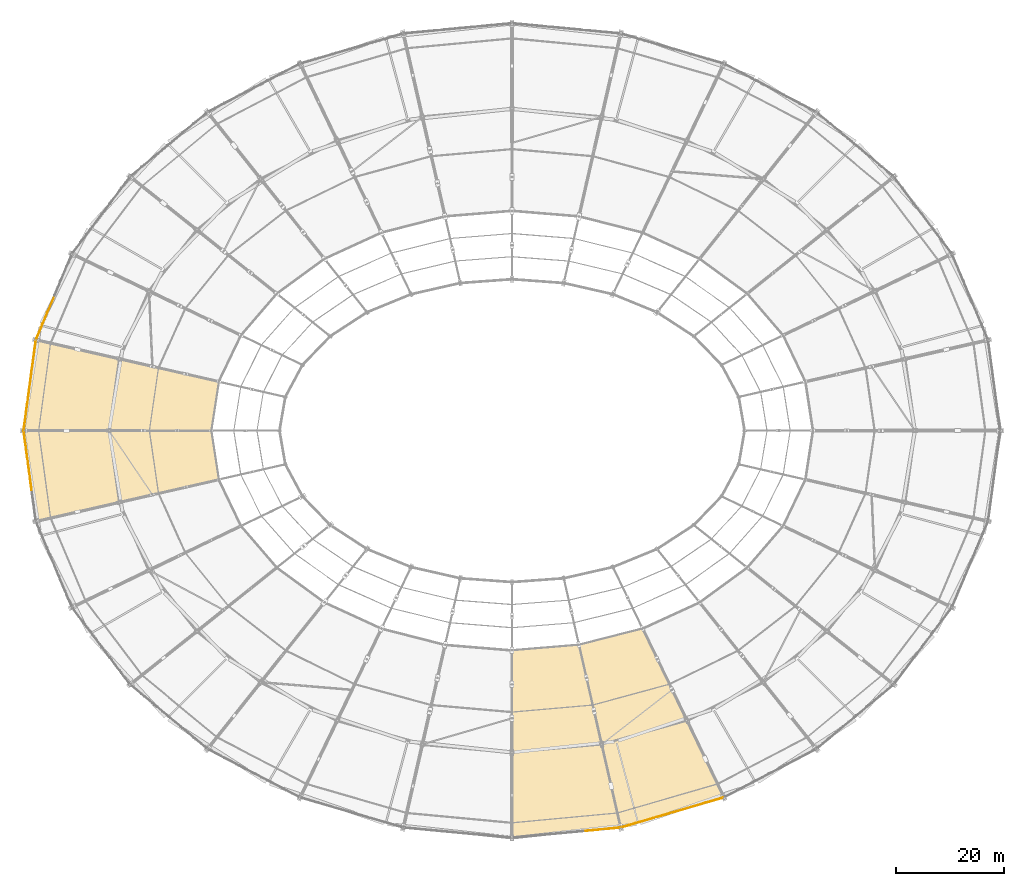
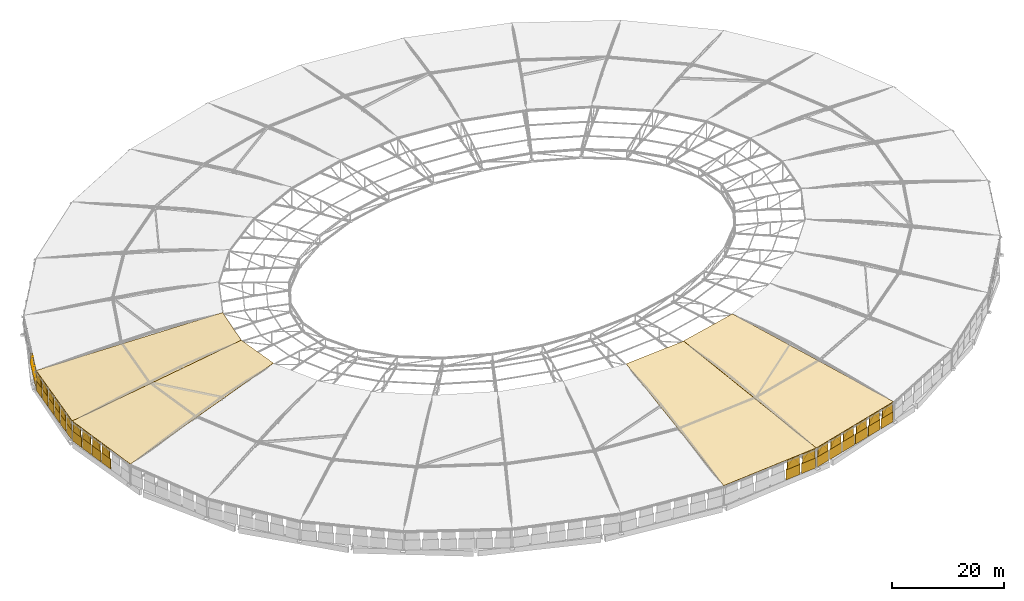
# One storey, part 102 of 108: 45 coverings, 20 shading devices.
"""IFC4 building model written with IfcOpenShell, lengths in metres."""

import ifcopenshell
import ifcopenshell.guid

model = None  # the IFC model being written
_history = None  # IfcOwnerHistory: only IFC2X3 demands one
_inside = {}  # id of a spatial element -> (the spatial element, [elements in it])
_under = {}  # id of a project, library or spatial element -> (it, [spatial elements below it])
_declared = {}  # id of a project -> (the project, [libraries it declares])
_typed = {}  # id of a type object -> (the type object, [elements of that type])
_made_of = {}  # id of a material, layer set ... -> (it, [elements and type objects made of it])


def new_model(schema):
    """Start an empty IFC model of exactly this schema.

    Asked for "IFC4X3", IfcOpenShell would pick the latest addendum, in which some entities
    have other attributes; the version numbers below select the first issue.
    IFC2X3 requires an IfcOwnerHistory on every rooted entity: one is made here for all.
    """
    global model, _history
    if schema == "IFC4X3":
        model = ifcopenshell.file(schema_version=(4, 3, 0, 0))
    else:
        model = ifcopenshell.file(schema=schema)
    _inside.clear()
    _under.clear()
    _declared.clear()
    _typed.clear()
    _made_of.clear()
    _history = None
    if model.schema == "IFC2X3":
        org = make("IfcOrganization", Name="unknown")
        user = make(
            "IfcPersonAndOrganization",
            ThePerson=make("IfcPerson", FamilyName="unknown"),
            TheOrganization=org,
        )
        app = make(
            "IfcApplication",
            ApplicationDeveloper=org,
            Version="unknown",
            ApplicationFullName="unknown",
            ApplicationIdentifier="unknown",
        )
        _history = make(
            "IfcOwnerHistory",
            OwningUser=user,
            OwningApplication=app,
            ChangeAction="ADDED",
            CreationDate=0,
        )
    return model


def make(cls, **values):
    """One entity of the class cls with the attributes given. An attribute that is None is left unset."""
    return model.create_entity(
        cls, **{name: value for name, value in values.items() if value is not None}
    )


def rooted(cls, **values):
    """An entity with a GlobalId (a new one), such as an element, a storey or a relation."""
    return make(cls, GlobalId=ifcopenshell.guid.new(), OwnerHistory=_history, **values)


def si_unit(unit_type, name, prefix=None):
    """IfcSIUnit, for example si_unit("LENGTHUNIT", "METRE", prefix="MILLI")."""
    return make("IfcSIUnit", UnitType=unit_type, Prefix=prefix, Name=name)


def assignment(units):
    """IfcUnitAssignment: the units of a project."""
    return None if units is None else make("IfcUnitAssignment", Units=units)


def point(xyz):
    """IfcCartesianPoint."""
    return None if xyz is None else make("IfcCartesianPoint", Coordinates=xyz)


def direction(xyz):
    """IfcDirection."""
    return None if xyz is None else make("IfcDirection", DirectionRatios=xyz)


def frame(location, z_axis=None, x_axis=None):
    """IfcAxis2Placement3D, a coordinate frame: its origin and axes. An axis left out is left unset."""
    return make(
        "IfcAxis2Placement3D",
        Location=point(location),
        Axis=direction(z_axis),
        RefDirection=direction(x_axis),
    )


def frame_2d(location, x_axis=None):
    """IfcAxis2Placement2D, a coordinate frame in the plane: its origin and x axis."""
    return make(
        "IfcAxis2Placement2D", Location=point(location), RefDirection=direction(x_axis)
    )


def origin():
    """The frame at (0, 0, 0) with its axes left unset."""
    return frame((0.0, 0.0, 0.0))


def origin_2d():
    """The frame at (0, 0) in the plane with its x axis left unset."""
    return frame_2d((0.0, 0.0))


def place(relative_to, where):
    """IfcLocalPlacement: puts the frame where relative to a parent placement (None: the world)."""
    return make(
        "IfcLocalPlacement", PlacementRelTo=relative_to, RelativePlacement=where
    )


def context(
    kind, dimensions, precision=None, world=None, true_north=None, identifier=None
):
    """IfcGeometricRepresentationContext, for example the 3D "Model" context."""
    return make(
        "IfcGeometricRepresentationContext",
        ContextIdentifier=identifier,
        ContextType=kind,
        CoordinateSpaceDimension=dimensions,
        Precision=precision,
        WorldCoordinateSystem=world,
        TrueNorth=true_north,
    )


def subcontext(parent, identifier, kind, view, scale=None):
    """IfcGeometricRepresentationSubContext, for example "Body" below "Model"."""
    return make(
        "IfcGeometricRepresentationSubContext",
        ContextIdentifier=identifier,
        ContextType=kind,
        ParentContext=parent,
        TargetScale=scale,
        TargetView=view,
    )


def project(units=None, contexts=None):
    """IfcProject with its units and contexts."""
    return rooted(
        "IfcProject",
        Name="project",
        RepresentationContexts=contexts,
        UnitsInContext=assignment(units),
    )


def spatial(cls, under=None, at=None, **own):
    """A site, building, storey or space (cls), placed at a placement, below another one or the project."""
    s = rooted(cls, ObjectPlacement=at, **own)
    if under is not None:
        _under.setdefault(under.id(), (under, []))[1].append(s)
    return s


def polyline(points):
    """IfcPolyline through the points."""
    return make("IfcPolyline", Points=[point(p) for p in points])


def profile(cls, at=None, kind="AREA", **sizes):
    """A parametric profile (cls). Its sizes go by their IFC names, for example OverallWidth=200.0."""
    return make(cls, ProfileType=kind, Position=at, **sizes)


def rectangle(**sizes):
    """IfcRectangleProfileDef."""
    return profile("IfcRectangleProfileDef", **sizes)


def outline(outer, holes=None, kind="AREA"):
    """IfcArbitraryClosedProfileDef: a profile drawn as a closed curve; with holes, ...WithVoids."""
    if holes is None:
        return make("IfcArbitraryClosedProfileDef", ProfileType=kind, OuterCurve=outer)
    return make(
        "IfcArbitraryProfileDefWithVoids",
        ProfileType=kind,
        OuterCurve=outer,
        InnerCurves=holes,
    )


def extrude(swept, where, along, depth):
    """IfcExtrudedAreaSolid: the profile swept, set in the frame where, extruded along a direction by depth."""
    return make(
        "IfcExtrudedAreaSolid",
        SweptArea=swept,
        Position=where,
        ExtrudedDirection=direction(along),
        Depth=depth,
    )


def shape(context_of_items, identifier, shape_type, items):
    """IfcShapeRepresentation: the items that make up one representation, for example the "Body"."""
    return make(
        "IfcShapeRepresentation",
        ContextOfItems=context_of_items,
        RepresentationIdentifier=identifier,
        RepresentationType=shape_type,
        Items=items,
    )


def material(Name=None, Category=None):
    """IfcMaterial."""
    return make("IfcMaterial", Name=Name, Category=Category)


def layer(
    of_material, thickness, ventilated=None, Name=None, Category=None, Priority=None
):
    """IfcMaterialLayer: one layer of a wall or slab, of a material (None: an air gap)."""
    return make(
        "IfcMaterialLayer",
        Material=of_material,
        LayerThickness=thickness,
        IsVentilated=ventilated,
        Name=Name,
        Category=Category,
        Priority=Priority,
    )


def layer_set(layers, Name=None):
    """IfcMaterialLayerSet."""
    return make("IfcMaterialLayerSet", MaterialLayers=layers, LayerSetName=Name)


def made_of(thing, what):
    """Note that an element or type object is made of a material, layer set ...; save() writes the relation."""
    if what is not None:
        _made_of.setdefault(what.id(), (what, []))[1].append(thing)
    return thing


def type_object(cls, material=None, **own):
    """A type object (cls), such as IfcWallType, which elements share."""
    return made_of(rooted(cls, **own), material)


def element(
    cls,
    number,
    at=None,
    inside=None,
    cuts=None,
    type_object=None,
    material=None,
    context=None,
    identifier="Body",
    shape_type=None,
    held_by="IfcProductDefinitionShape",
    body=None,
    shapes=None,
    **own,
):
    """One element of the class cls, such as IfcWall. Its Tag is "e" and its number.

    at: its placement. inside: the storey or other place that contains it. cuts: it is an
    opening in that element (IfcRelVoidsElement). A single representation is given by context,
    identifier, shape_type and body (its items); several are given by shapes. held_by: the class
    of the entity that holds the representations. save() writes the other relations.
    """
    e = rooted(cls, Tag="e%d" % number, ObjectPlacement=at, **own)
    if body is not None:
        shapes = [shape(context, identifier, shape_type, body)]
    if shapes is not None:
        e.Representation = make(held_by, Representations=shapes)
    if inside is not None:
        _inside.setdefault(inside.id(), (inside, []))[1].append(e)
    if cuts is not None:
        rooted(
            "IfcRelVoidsElement", RelatingBuildingElement=cuts, RelatedOpeningElement=e
        )
    if type_object is not None:
        _typed.setdefault(type_object.id(), (type_object, []))[1].append(e)
    return made_of(e, material)


def aggregate(whole, parts):
    """IfcRelAggregates: a whole, such as a stair, and the parts it consists of."""
    return rooted("IfcRelAggregates", RelatingObject=whole, RelatedObjects=parts)


def save(model, path):
    """Write the relations noted so far, then the file.

    IfcRelAggregates (storeys below a building ...), IfcRelContainedInSpatialStructure (elements
    in a storey), IfcRelDefinesByType, IfcRelAssociatesMaterial and IfcRelDeclares: one each for
    every whole, place, type object, material and project.
    """
    for whole, parts in _under.values():
        aggregate(whole, parts)
    for where, things in _inside.values():
        rooted(
            "IfcRelContainedInSpatialStructure",
            RelatedElements=things,
            RelatingStructure=where,
        )
    for kind, things in _typed.values():
        rooted("IfcRelDefinesByType", RelatedObjects=things, RelatingType=kind)
    for what, things in _made_of.values():
        rooted("IfcRelAssociatesMaterial", RelatedObjects=things, RelatingMaterial=what)
    for by, libraries in _declared.values():
        rooted("IfcRelDeclares", RelatingContext=by, RelatedDefinitions=libraries)
    model.write(path)


model = new_model("IFC4")

# Units and contexts
model_context = context("Model", 3, precision=1e-05, world=origin(), true_north=direction((0.0, 1.0)))
body_context = subcontext(model_context, "Body", "Model", "MODEL_VIEW")
ifc_project = project(units=[si_unit("LENGTHUNIT", "METRE"), si_unit("AREAUNIT", "SQUARE_METRE"), si_unit("VOLUMEUNIT", "CUBIC_METRE"), si_unit("PLANEANGLEUNIT", "RADIAN"), si_unit("MASSUNIT", "GRAM", prefix="KILO")], contexts=[model_context])

# Site, building, storey
site_placement = place(None, origin())
site = spatial("IfcSite", under=ifc_project, at=site_placement, CompositionType="ELEMENT")
building_placement = place(site_placement, origin())
building = spatial("IfcBuilding", under=site, at=building_placement, Name="Zevraka Park Crest Stadium", CompositionType="ELEMENT")
storey_placement = place(building_placement, frame((0.0, 0.0, 29.39990234375)))
storey = spatial("IfcBuildingStorey", under=building, at=storey_placement, Name="RF", CompositionType="ELEMENT", Elevation=29.39990234375)

# Coverings
ifc_material_1 = material(Name="Architectural golden-bronze perforated aluminium", Category="aluminium")
ifc_layer_1 = layer(ifc_material_1, 0.034912109375)
ifc_layer_set_1 = layer_set([ifc_layer_1], Name="Architectural golden-bronze perforated aluminium")
covering_type_1 = type_object("IfcCoveringType", Name="CLD01", PredefinedType="CLADDING", material=ifc_layer_set_1)
covering_1_placement = place(storey_placement, frame((27.259033203125, 116.60693359375, 0.0), z_axis=(-0.922096698468, 0.386959531056, 0.0), x_axis=(-0.386959531056, -0.922096698468, 0.0)))
element("IfcCovering", 1, at=covering_1_placement, inside=storey, type_object=covering_type_1, Name="Canopy Crown Perforated Bronze Fascia 13-4A", PredefinedType="CLADDING", context=body_context, shape_type="SweptSolid", body=[
    extrude(outline(polyline([(0.0, 0.0), (2.6460797553062623, 0.0), (2.6460797553062623, 2.2001953125), (0.0, 2.2001953125), (0.0, 0.0)])), origin(), (0.0, 0.0, -1.0), 0.044921875),
])
covering_2_placement = place(storey_placement, frame((26.14599609375, 113.955078125, 0.0), z_axis=(-0.922110512256, 0.386926612146, 0.0), x_axis=(-0.386926612146, -0.922110512256, 0.0)))
element("IfcCovering", 2, at=covering_2_placement, inside=storey, type_object=covering_type_1, Name="Canopy Crown Perforated Bronze Fascia 13-5A", PredefinedType="CLADDING", context=body_context, shape_type="SweptSolid", body=[
    extrude(outline(polyline([(0.0, 0.0), (2.6463048782568626, 0.0), (2.6463048782568626, 2.2001953125), (0.0, 2.2001953125), (0.0, 0.0)])), origin(), (0.0, 0.0, -1.0), 0.044921875),
])
covering_3_placement = place(storey_placement, frame((26.14599609375, 113.955078125, 2.2001953125), z_axis=(0.922110512009, -0.386926612043, 2.3155393e-05), x_axis=(-0.386926612146, -0.922110512256, 0.0)))
element("IfcCovering", 3, at=covering_3_placement, inside=storey, type_object=covering_type_1, Name="Canopy Crown Triangular Bronze Screen 13-5B", PredefinedType="CLADDING", context=body_context, shape_type="SweptSolid", body=[
    extrude(outline(polyline([(0.0, 0.0), (2.6463048782568626, 3.3881317890172014e-21), (1.3230398768100406, -2.039794922421841), (0.0, 0.0)])), origin(), (0.0, 0.0, -1.0), 0.044921875),
])
covering_4_placement = place(storey_placement, frame((25.032958984375, 111.302001953125, 0.0), z_axis=(-0.922096698468, 0.386959531056, 0.0), x_axis=(-0.386959531056, -0.922096698468, 0.0)))
element("IfcCovering", 4, at=covering_4_placement, inside=storey, type_object=covering_type_1, Name="Canopy Crown Perforated Bronze Fascia 13-6A", PredefinedType="CLADDING", context=body_context, shape_type="SweptSolid", body=[
    extrude(outline(polyline([(0.0, 0.0), (2.6460797553062623, 0.0), (2.6460797553062623, 2.2001953125), (0.0, 2.2001953125), (0.0, 0.0)])), origin(), (0.0, 0.0, -1.0), 0.044921875),
])
covering_5_placement = place(storey_placement, frame((25.032958984375, 111.302001953125, 2.2001953125), z_axis=(-0.922096698468, 0.386959531056, 0.0), x_axis=(-0.386959531056, -0.922096698468, 0.0)))
element("IfcCovering", 5, at=covering_5_placement, inside=storey, type_object=covering_type_1, Name="Canopy Crown Triangular Bronze Screen 13-6B", PredefinedType="CLADDING", context=body_context, shape_type="SweptSolid", body=[
    extrude(outline(polyline([(0.0, 0.0), (2.6460797553062623, 0.0), (1.3230398776531311, 2.0397949218750004), (0.0, 0.0)])), origin(), (0.0, 0.0, -1.0), 0.044921875),
])
covering_6_placement = place(storey_placement, frame((23.948974609375, 108.64404296875, 0.0), z_axis=(-0.991005261785, 0.133822909531, 0.0), x_axis=(-0.133822909531, -0.991005261785, 0.0)))
element("IfcCovering", 6, at=covering_6_placement, inside=storey, type_object=covering_type_1, Name="Canopy Crown Perforated Bronze Fascia 14-1A", PredefinedType="CLADDING", context=body_context, shape_type="SweptSolid", body=[
    extrude(outline(polyline([(0.0, 0.0), (2.5924098447759607, 0.0), (2.5924098447759607, 2.2001953124999996), (0.0, 2.2001953124999996), (0.0, 0.0)])), origin(), (0.0, 0.0, -1.0), 0.044921875),
])
covering_7_placement = place(storey_placement, frame((23.948974609375, 108.64404296875, 2.2001953125), z_axis=(-0.991005252365, 0.133822908259, 0.000137875596), x_axis=(-0.133822909531, -0.991005261785, 0.0)))
element("IfcCovering", 7, at=covering_7_placement, inside=storey, type_object=covering_type_1, Name="Canopy Crown Triangular Bronze Screen 14-1B", PredefinedType="CLADDING", context=body_context, shape_type="SweptSolid", body=[
    extrude(outline(polyline([(0.0, 0.0), (2.5924098447759607, 6.776263578034403e-21), (1.2955510533648462, 2.0397949412629246), (0.0, 0.0)])), origin(), (0.0, 0.0, -1.0), 0.044921875),
])
covering_8_placement = place(storey_placement, frame((23.572021484375, 105.85205078125, 0.0), z_axis=(-0.990962016896, 0.134142763758, 0.0), x_axis=(-0.134142763758, -0.990962016896, 0.0)))
element("IfcCovering", 8, at=covering_8_placement, inside=storey, type_object=covering_type_1, Name="Canopy Crown Perforated Bronze Fascia 14-2A", PredefinedType="CLADDING", context=body_context, shape_type="SweptSolid", body=[
    extrude(outline(polyline([(0.0, 0.0), (2.593508444878777, 0.0), (2.593508444878777, 2.2001953125), (0.0, 2.2001953125), (0.0, 0.0)])), origin(), (0.0, 0.0, -1.0), 0.044921875),
])
covering_9_placement = place(storey_placement, frame((23.572021484375, 105.85205078125, 2.2001953125), z_axis=(0.990962015594, -0.134142763581, 5.1275838e-05), x_axis=(-0.134142763758, -0.990962016896, 0.0)))
element("IfcCovering", 9, at=covering_9_placement, inside=storey, type_object=covering_type_1, Name="Canopy Crown Triangular Bronze Screen 14-2B", PredefinedType="CLADDING", context=body_context, shape_type="SweptSolid", body=[
    extrude(outline(polyline([(0.0, 0.0), (2.593508444878777, 0.0), (1.2968915643315582, -2.0397949245565257), (0.0, 0.0)])), origin(), (0.0, 0.0, -1.0), 0.044921875),
])
covering_10_placement = place(storey_placement, frame((23.194091796875, 103.05908203125, 0.0), z_axis=(-0.99099276819, 0.133915396405, 0.0), x_axis=(-0.133915396405, -0.99099276819, 0.0)))
element("IfcCovering", 10, at=covering_10_placement, inside=storey, type_object=covering_type_1, Name="Canopy Crown Perforated Bronze Fascia 14-3A", PredefinedType="CLADDING", context=body_context, shape_type="SweptSolid", body=[
    extrude(outline(polyline([(0.0, 0.0), (2.592442527674706, 0.0), (2.592442527674706, 2.2001953125000004), (0.0, 2.2001953125000004), (0.0, 0.0)])), origin(), (0.0, 0.0, -1.0), 0.044921875),
])
covering_11_placement = place(storey_placement, frame((23.194091796875, 103.05908203125, 2.2001953125), z_axis=(0.990992748931, -0.133915393802, 0.000197151049), x_axis=(-0.133915396405, -0.99099276819, 0.0)))
element("IfcCovering", 11, at=covering_11_placement, inside=storey, type_object=covering_type_1, Name="Canopy Crown Triangular Bronze Screen 14-3B", PredefinedType="CLADDING", context=body_context, shape_type="SweptSolid", body=[
    extrude(outline(polyline([(0.0, 0.0), (2.592442527674706, 1.3552527156068805e-20), (1.296891506198995, -2.039794961516922), (0.0, 0.0)])), origin(), (0.0, 0.0, -1.0), 0.044921875),
])
covering_12_placement = place(storey_placement, frame((22.81689453125, 100.26611328125, 0.0), z_axis=(-0.991005261785, 0.133822909531, 0.0), x_axis=(-0.133822909531, -0.991005261785, 0.0)))
element("IfcCovering", 12, at=covering_12_placement, inside=storey, type_object=covering_type_1, Name="Canopy Crown Perforated Bronze Fascia 14-4A", PredefinedType="CLADDING", context=body_context, shape_type="SweptSolid", body=[
    extrude(outline(polyline([(0.0, 0.0), (2.5924098447759607, 0.0), (2.5924098447759607, 2.2001953124999996), (0.0, 2.2001953124999996), (0.0, 0.0)])), origin(), (0.0, 0.0, -1.0), 0.044921875),
])
covering_13_placement = place(storey_placement, frame((22.81689453125, 100.26611328125, 2.2001953125), z_axis=(-0.991005224989, 0.133822904562, 0.000272504932), x_axis=(-0.133822909531, -0.991005261785, 0.0)))
element("IfcCovering", 13, at=covering_13_placement, inside=storey, type_object=covering_type_1, Name="Canopy Crown Triangular Bronze Screen 14-4B", PredefinedType="CLADDING", context=body_context, shape_type="SweptSolid", body=[
    extrude(outline(polyline([(0.0, 0.0), (2.5924098447759607, -1.3552527156068805e-20), (1.295760326400064, 2.039794997611506), (0.0, 0.0)])), origin(), (0.0, 0.0, -1.0), 0.044921875),
])
covering_14_placement = place(storey_placement, frame((22.43994140625, 97.47412109375, 0.0), z_axis=(-0.990962016896, 0.134142763758, 0.0), x_axis=(-0.134142763758, -0.990962016896, 0.0)))
element("IfcCovering", 14, at=covering_14_placement, inside=storey, type_object=covering_type_1, Name="Canopy Crown Perforated Bronze Fascia 14-5A", PredefinedType="CLADDING", context=body_context, shape_type="SweptSolid", body=[
    extrude(outline(polyline([(0.0, 0.0), (2.593508444878777, 0.0), (2.593508444878777, 2.2001953125), (0.0, 2.2001953125), (0.0, 0.0)])), origin(), (0.0, 0.0, -1.0), 0.044921875),
])
covering_15_placement = place(storey_placement, frame((22.43994140625, 97.47412109375, 2.2001953125), z_axis=(-0.99096201465, 0.134142763454, 6.7331225e-05), x_axis=(-0.134142763758, -0.990962016896, 0.0)))
element("IfcCovering", 15, at=covering_15_placement, inside=storey, type_object=covering_type_1, Name="Canopy Crown Triangular Bronze Screen 14-5B", PredefinedType="CLADDING", context=body_context, shape_type="SweptSolid", body=[
    extrude(outline(polyline([(0.0, 0.0), (2.593508444878777, -3.3881317890172014e-21), (1.296858814633375, 2.039794926498699), (0.0, 0.0)])), origin(), (0.0, 0.0, -1.0), 0.044921875),
])
covering_16_placement = place(storey_placement, frame((22.06201171875, 94.680908203125, 0.0), z_axis=(-0.991003575006, 0.133835400122, 0.0), x_axis=(-0.133835400122, -0.991003575006, 0.0)))
element("IfcCovering", 16, at=covering_16_placement, inside=storey, type_object=covering_type_1, Name="Canopy Crown Perforated Bronze Fascia 14-6A", PredefinedType="CLADDING", context=body_context, shape_type="SweptSolid", body=[
    extrude(outline(polyline([(0.0, 0.0), (2.592167900337867, 0.0), (2.592167900337867, 2.2001953125), (0.0, 2.2001953125), (0.0, 0.0)])), origin(), (0.0, 0.0, -1.0), 0.044921875),
])
covering_17_placement = place(storey_placement, frame((22.06201171875, 94.680908203125, 2.2001953125), z_axis=(0.991003540342, -0.133835395441, 0.000264492886), x_axis=(-0.133835400122, -0.991003575006, 0.0)))
element("IfcCovering", 17, at=covering_17_placement, inside=storey, type_object=covering_type_1, Name="Canopy Crown Triangular Bronze Screen 14-6B", PredefinedType="CLADDING", context=body_context, shape_type="SweptSolid", body=[
    extrude(outline(polyline([(0.0, 0.0), (2.592167900337867, -1.3552527156068805e-20), (1.2966495252788737, -2.039794993223447), (0.0, 0.0)])), origin(), (0.0, 0.0, -1.0), 0.044921875),
])
covering_18_placement = place(storey_placement, frame((21.715087890625, 91.887939453125, 0.0), z_axis=(-0.991003575006, -0.133835400122, 0.0), x_axis=(0.133835400122, -0.991003575006, 0.0)))
element("IfcCovering", 18, at=covering_18_placement, inside=storey, type_object=covering_type_1, Name="Canopy Crown Perforated Bronze Fascia 15-1A", PredefinedType="CLADDING", context=body_context, shape_type="SweptSolid", body=[
    extrude(outline(polyline([(0.0, 0.0), (2.592167900337867, 0.0), (2.592167900337867, 2.2001953125), (0.0, 2.2001953125), (0.0, 0.0)])), origin(), (0.0, 0.0, -1.0), 0.044921875),
])
covering_19_placement = place(storey_placement, frame((21.715087890625, 91.887939453125, 2.2001953125), z_axis=(0.991003540342, 0.133835395441, 0.000264492886), x_axis=(0.133835400122, -0.991003575006, 0.0)))
element("IfcCovering", 19, at=covering_19_placement, inside=storey, type_object=covering_type_1, Name="Canopy Crown Triangular Bronze Screen 15-1B", PredefinedType="CLADDING", context=body_context, shape_type="SweptSolid", body=[
    extrude(outline(polyline([(0.0, 0.0), (2.592167900337867, 1.3552527156068805e-20), (1.2955183750589927, -2.039794993223447), (0.0, 0.0)])), origin(), (0.0, 0.0, -1.0), 0.044921875),
])
covering_20_placement = place(storey_placement, frame((22.092041015625, 89.095947265625, 0.0), z_axis=(-0.990962016896, -0.134142763758, 0.0), x_axis=(0.134142763758, -0.990962016896, 0.0)))
element("IfcCovering", 20, at=covering_20_placement, inside=storey, type_object=covering_type_1, Name="Canopy Crown Perforated Bronze Fascia 15-2A", PredefinedType="CLADDING", context=body_context, shape_type="SweptSolid", body=[
    extrude(outline(polyline([(0.0, 0.0), (2.593508444878777, 0.0), (2.593508444878777, 2.2001953125), (0.0, 2.2001953125), (0.0, 0.0)])), origin(), (0.0, 0.0, -1.0), 0.044921875),
])
covering_21_placement = place(storey_placement, frame((22.092041015625, 89.095947265625, 2.2001953125), z_axis=(-0.99096201465, -0.134142763454, 6.7331225e-05), x_axis=(0.134142763758, -0.990962016896, 0.0)))
element("IfcCovering", 21, at=covering_21_placement, inside=storey, type_object=covering_type_1, Name="Canopy Crown Triangular Bronze Screen 15-2B", PredefinedType="CLADDING", context=body_context, shape_type="SweptSolid", body=[
    extrude(outline(polyline([(0.0, 0.0), (2.593508444878777, 3.3881317890172014e-21), (1.2966496302454018, 2.039794926498699), (0.0, 0.0)])), origin(), (0.0, 0.0, -1.0), 0.044921875),
])
covering_22_placement = place(storey_placement, frame((22.469970703125, 86.302978515625, 0.0), z_axis=(-0.991005261785, -0.133822909531, 0.0), x_axis=(0.133822909531, -0.991005261785, 0.0)))
element("IfcCovering", 22, at=covering_22_placement, inside=storey, type_object=covering_type_1, Name="Canopy Crown Perforated Bronze Fascia 15-3A", PredefinedType="CLADDING", context=body_context, shape_type="SweptSolid", body=[
    extrude(outline(polyline([(0.0, 0.0), (2.5924098447759607, 0.0), (2.5924098447759607, 2.2001953124999996), (0.0, 2.2001953124999996), (0.0, 0.0)])), origin(), (0.0, 0.0, -1.0), 0.044921875),
])
covering_23_placement = place(storey_placement, frame((22.469970703125, 86.302978515625, 2.2001953125), z_axis=(-0.991005224989, -0.133822904562, 0.000272504932), x_axis=(0.133822909531, -0.991005261785, 0.0)))
element("IfcCovering", 23, at=covering_23_placement, inside=storey, type_object=covering_type_1, Name="Canopy Crown Triangular Bronze Screen 15-3B", PredefinedType="CLADDING", context=body_context, shape_type="SweptSolid", body=[
    extrude(outline(polyline([(0.0, 0.0), (2.5924098447759607, 1.3552527156068805e-20), (1.2966495183758966, 2.039794997611506), (0.0, 0.0)])), origin(), (0.0, 0.0, -1.0), 0.044921875),
])
covering_24_placement = place(storey_placement, frame((22.846923828125, 83.510009765625, 0.0), z_axis=(-0.99099276819, -0.133915396405, 0.0), x_axis=(0.133915396405, -0.99099276819, 0.0)))
element("IfcCovering", 24, at=covering_24_placement, inside=storey, type_object=covering_type_1, Name="Canopy Crown Perforated Bronze Fascia 15-4A", PredefinedType="CLADDING", context=body_context, shape_type="SweptSolid", body=[
    extrude(outline(polyline([(0.0, 0.0), (2.592442527674706, 0.0), (2.592442527674706, 2.2001953125000004), (0.0, 2.2001953125000004), (0.0, 0.0)])), origin(), (0.0, 0.0, -1.0), 0.044921875),
])
covering_25_placement = place(storey_placement, frame((22.846923828125, 83.510009765625, 2.2001953125), z_axis=(0.990992748931, 0.133915393802, 0.000197151049), x_axis=(0.133915396405, -0.99099276819, 0.0)))
element("IfcCovering", 25, at=covering_25_placement, inside=storey, type_object=covering_type_1, Name="Canopy Crown Triangular Bronze Screen 15-4B", PredefinedType="CLADDING", context=body_context, shape_type="SweptSolid", body=[
    extrude(outline(polyline([(0.0, 0.0), (2.592442527674706, -1.3552527156068805e-20), (1.295551021475711, -2.039794961516922), (0.0, 0.0)])), origin(), (0.0, 0.0, -1.0), 0.044921875),
])
covering_26_placement = place(storey_placement, frame((125.530029296875, 17.970947265625, 0.0), z_axis=(0.093721942407, -0.995598411766, 0.0), x_axis=(0.995598411766, 0.093721942407, 0.0)))
element("IfcCovering", 26, at=covering_26_placement, inside=storey, type_object=covering_type_1, Name="Canopy Crown Perforated Bronze Fascia 22-5A", PredefinedType="CLADDING", context=body_context, shape_type="SweptSolid", body=[
    extrude(outline(polyline([(0.0, 0.0), (3.0946761777513334, 0.0), (3.0946761777513334, 2.2001953125), (0.0, 2.2001953125), (0.0, 0.0)])), origin(), (0.0, 0.0, -1.0), 0.044921875),
])
covering_27_placement = place(storey_placement, frame((125.530029296875, 17.970947265625, 2.2001953125), z_axis=(0.093721942384, -0.995598411516, 2.2434935e-05), x_axis=(0.995598411766, 0.093721942407, 0.0)))
element("IfcCovering", 27, at=covering_27_placement, inside=storey, type_object=covering_type_1, Name="Canopy Crown Triangular Bronze Screen 22-5B", PredefinedType="CLADDING", context=body_context, shape_type="SweptSolid", body=[
    extrude(outline(polyline([(0.0, 0.0), (3.0946761777513334, -8.470329472543003e-22), (1.5468519568386714, 2.039794922388341), (0.0, 0.0)])), origin(), (0.0, 0.0, -1.0), 0.044921875),
])
covering_28_placement = place(storey_placement, frame((128.87890625, 18.285888671875, 0.0), z_axis=(0.093409138285, -0.995627808413, 0.0), x_axis=(0.995627808413, 0.093409138285, 0.0)))
element("IfcCovering", 28, at=covering_28_placement, inside=storey, type_object=covering_type_1, Name="Canopy Crown Perforated Bronze Fascia 22-6A", PredefinedType="CLADDING", context=body_context, shape_type="SweptSolid", body=[
    extrude(outline(polyline([(0.0, 0.0), (3.0945848051510843, 0.0), (3.0945848051510843, 2.2001953125), (0.0, 2.2001953125), (0.0, 0.0)])), origin(), (0.0, 0.0, -1.0), 0.044921875),
])
covering_29_placement = place(storey_placement, frame((128.87890625, 18.285888671875, 2.2001953125), z_axis=(0.093409136107, -0.995627785193, 0.000215970951), x_axis=(0.995627808413, 0.093409138285, 0.0)))
element("IfcCovering", 29, at=covering_29_placement, inside=storey, type_object=covering_type_1, Name="Canopy Crown Triangular Bronze Screen 22-6B", PredefinedType="CLADDING", context=body_context, shape_type="SweptSolid", body=[
    extrude(outline(polyline([(0.0, 0.0), (3.0945848051510843, 0.0), (1.547824158897172, 2.03979496944654), (0.0, 0.0)])), origin(), (0.0, 0.0, -1.0), 0.044921875),
])
covering_30_placement = place(storey_placement, frame((132.220947265625, 18.625, 0.0), z_axis=(0.280089166115, -0.959973988723, 0.0), x_axis=(0.959973988723, 0.280089166115, 0.0)))
element("IfcCovering", 30, at=covering_30_placement, inside=storey, type_object=covering_type_1, Name="Canopy Crown Perforated Bronze Fascia 23-1A", PredefinedType="CLADDING", context=body_context, shape_type="SweptSolid", body=[
    extrude(outline(polyline([(0.0, 0.0), (3.0490429819023257, 0.0), (3.0490429819023257, 2.2001953125), (0.0, 2.2001953125), (0.0, 0.0)])), origin(), (0.0, 0.0, -1.0), 0.044921875),
])
covering_31_placement = place(storey_placement, frame((132.220947265625, 18.625, 2.2001953125), z_axis=(0.280089165761, -0.959973987509, 5.0285308e-05), x_axis=(0.959973988723, 0.280089166115, 0.0)))
element("IfcCovering", 31, at=covering_31_placement, inside=storey, type_object=covering_type_1, Name="Canopy Crown Triangular Bronze Screen 23-1B", PredefinedType="CLADDING", context=body_context, shape_type="SweptSolid", body=[
    extrude(outline(polyline([(0.0, 0.0), (3.0490429819023257, 0.0), (1.5241699379767768, 2.039794924453925), (0.0, 0.0)])), origin(), (0.0, 0.0, -1.0), 0.044921875),
])
covering_32_placement = place(storey_placement, frame((135.402099609375, 19.552978515625, 0.0), z_axis=(0.280089166115, -0.959973988723, 0.0), x_axis=(0.959973988723, 0.280089166115, 0.0)))
element("IfcCovering", 32, at=covering_32_placement, inside=storey, type_object=covering_type_1, Name="Canopy Crown Perforated Bronze Fascia 23-2A", PredefinedType="CLADDING", context=body_context, shape_type="SweptSolid", body=[
    extrude(outline(polyline([(0.0, 0.0), (3.0490429819023257, 0.0), (3.0490429819023257, 2.2001953125), (0.0, 2.2001953125), (0.0, 0.0)])), origin(), (0.0, 0.0, -1.0), 0.044921875),
])
covering_33_placement = place(storey_placement, frame((135.402099609375, 19.552978515625, 2.2001953125), z_axis=(-0.280089165761, 0.959973987509, 5.0285308e-05), x_axis=(0.959973988723, 0.280089166115, 0.0)))
element("IfcCovering", 33, at=covering_33_placement, inside=storey, type_object=covering_type_1, Name="Canopy Crown Triangular Bronze Screen 23-2B", PredefinedType="CLADDING", context=body_context, shape_type="SweptSolid", body=[
    extrude(outline(polyline([(0.0, 0.0), (3.0490429819023257, 0.0), (1.5248730439255487, -2.039794924453925), (0.0, 0.0)])), origin(), (0.0, 0.0, -1.0), 0.044921875),
])
covering_34_placement = place(storey_placement, frame((138.5830078125, 20.48095703125, 0.0), z_axis=(0.280089166115, -0.959973988723, 0.0), x_axis=(0.959973988723, 0.280089166115, 0.0)))
element("IfcCovering", 34, at=covering_34_placement, inside=storey, type_object=covering_type_1, Name="Canopy Crown Perforated Bronze Fascia 23-3A", PredefinedType="CLADDING", context=body_context, shape_type="SweptSolid", body=[
    extrude(outline(polyline([(0.0, 0.0), (3.0490429819023257, 0.0), (3.0490429819023257, 2.2001953125), (0.0, 2.2001953125), (0.0, 0.0)])), origin(), (0.0, 0.0, -1.0), 0.044921875),
])
covering_35_placement = place(storey_placement, frame((138.5830078125, 20.48095703125, 2.2001953125), z_axis=(0.280089165131, -0.959973985352, 8.3808847e-05), x_axis=(0.959973988723, 0.280089166115, 0.0)))
element("IfcCovering", 35, at=covering_35_placement, inside=storey, type_object=covering_type_1, Name="Canopy Crown Triangular Bronze Screen 23-3B", PredefinedType="CLADDING", context=body_context, shape_type="SweptSolid", body=[
    extrude(outline(polyline([(0.0, 0.0), (3.0490429819023257, -1.3552527156068805e-20), (1.5239355693271863, 2.039794929038681), (0.0, 0.0)])), origin(), (0.0, 0.0, -1.0), 0.044921875),
])
covering_36_placement = place(storey_placement, frame((141.763916015625, 21.409912109375, 0.0), z_axis=(0.280089166115, -0.959973988723, 0.0), x_axis=(0.959973988723, 0.280089166115, 0.0)))
element("IfcCovering", 36, at=covering_36_placement, inside=storey, type_object=covering_type_1, Name="Canopy Crown Perforated Bronze Fascia 23-4A", PredefinedType="CLADDING", context=body_context, shape_type="SweptSolid", body=[
    extrude(outline(polyline([(0.0, 0.0), (3.0490429819023257, 0.0), (3.0490429819023257, 2.2001953125), (0.0, 2.2001953125), (0.0, 0.0)])), origin(), (0.0, 0.0, -1.0), 0.044921875),
])
covering_37_placement = place(storey_placement, frame((141.763916015625, 21.409912109375, 2.2001953125), z_axis=(-0.280089165131, 0.959973985352, 8.3808847e-05), x_axis=(0.959973988723, 0.280089166115, 0.0)))
element("IfcCovering", 37, at=covering_37_placement, inside=storey, type_object=covering_type_1, Name="Canopy Crown Triangular Bronze Screen 23-4B", PredefinedType="CLADDING", context=body_context, shape_type="SweptSolid", body=[
    extrude(outline(polyline([(0.0, 0.0), (3.0490429819023257, -1.3552527156068805e-20), (1.5251074125751394, -2.039794929038681), (0.0, 0.0)])), origin(), (0.0, 0.0, -1.0), 0.044921875),
])
covering_38_placement = place(storey_placement, frame((144.945068359375, 22.337890625, 0.0), z_axis=(0.280089166115, -0.959973988723, 0.0), x_axis=(0.959973988723, 0.280089166115, 0.0)))
element("IfcCovering", 38, at=covering_38_placement, inside=storey, type_object=covering_type_1, Name="Canopy Crown Perforated Bronze Fascia 23-5A", PredefinedType="CLADDING", context=body_context, shape_type="SweptSolid", body=[
    extrude(outline(polyline([(0.0, 0.0), (3.0490429819023257, 0.0), (3.0490429819023257, 2.2001953125), (0.0, 2.2001953125), (0.0, 0.0)])), origin(), (0.0, 0.0, -1.0), 0.044921875),
])
covering_39_placement = place(storey_placement, frame((144.945068359375, 22.337890625, 2.2001953125), z_axis=(0.280089165131, -0.959973985352, 8.3808847e-05), x_axis=(0.959973988723, 0.280089166115, 0.0)))
element("IfcCovering", 39, at=covering_39_placement, inside=storey, type_object=covering_type_1, Name="Canopy Crown Triangular Bronze Screen 23-5B", PredefinedType="CLADDING", context=body_context, shape_type="SweptSolid", body=[
    extrude(outline(polyline([(0.0, 0.0), (3.0490429819023257, -1.3552527156068805e-20), (1.5239355693271863, 2.039794929038681), (0.0, 0.0)])), origin(), (0.0, 0.0, -1.0), 0.044921875),
])
covering_40_placement = place(storey_placement, frame((148.1259765625, 23.26611328125, 0.0), z_axis=(0.280089166115, -0.959973988723, 0.0), x_axis=(0.959973988723, 0.280089166115, 0.0)))
element("IfcCovering", 40, at=covering_40_placement, inside=storey, type_object=covering_type_1, Name="Canopy Crown Perforated Bronze Fascia 23-6A", PredefinedType="CLADDING", context=body_context, shape_type="SweptSolid", body=[
    extrude(outline(polyline([(0.0, 0.0), (3.0490429819023257, 0.0), (3.0490429819023257, 2.2001953125), (0.0, 2.2001953125), (0.0, 0.0)])), origin(), (0.0, 0.0, -1.0), 0.044921875),
])
covering_41_placement = place(storey_placement, frame((148.1259765625, 23.26611328125, 2.2001953125), z_axis=(-0.280089165131, 0.959973985352, 8.3808847e-05), x_axis=(0.959973988723, 0.280089166115, 0.0)))
element("IfcCovering", 41, at=covering_41_placement, inside=storey, type_object=covering_type_1, Name="Canopy Crown Triangular Bronze Screen 23-6B", PredefinedType="CLADDING", context=body_context, shape_type="SweptSolid", body=[
    extrude(outline(polyline([(0.0, 0.0), (3.0490429819023257, -1.3552527156068805e-20), (1.5251074125751394, -2.039794929038681), (0.0, 0.0)])), origin(), (0.0, 0.0, -1.0), 0.044921875),
])

# Shading devices
ifc_material_2 = material(Name="Terracotta and bronze acoustic ventilation louvre", Category="masonry")
ifc_layer_2 = layer(ifc_material_2, 0.080078125)
ifc_layer_set_2 = layer_set([ifc_layer_2], Name="Terracotta and bronze acoustic ventilation louvre")
shading_device_type = type_object("IfcShadingDeviceType", Name="LVR01", PredefinedType="USERDEFINED", material=ifc_layer_set_2)
for number, where, z_axis, x_axis, name in (
    (42, (25.634033203125, 112.735107421875, 2.22021484375), (0.0, 0.0, 1.0), (-0.387032846937, -0.922065927899, 0.0), "Canopy Crown Acoustic Wind Louvre 13-5"),
    (43, (24.52099609375, 110.08203125, 2.22021484375), (0.0, 0.0, 1.0), (-0.387032846937, -0.922065927899, 0.0), "Canopy Crown Acoustic Wind Louvre 13-6"),
):
    element("IfcShadingDevice", number, at=place(storey_placement, frame(where, z_axis=z_axis, x_axis=x_axis)), inside=storey, type_object=shading_device_type, Name=name, ObjectType="LOUVRE", PredefinedType="USERDEFINED", context=body_context, shape_type="SweptSolid", body=[
        extrude(rectangle(XDim=2.25, YDim=0.1201171875, at=origin_2d()), origin(), (0.0, 0.0, 1.0), 2.0),
    ])
for number, where, z_axis, x_axis, name in (
    (44, (23.77587890625, 107.360107421875, 2.22021484375), (0.0, 0.0, 1.0), (-0.133813224182, -0.991006569622, 0.0), "Canopy Crown Acoustic Wind Louvre 14-1"),
    (45, (23.39794921875, 104.56689453125, 2.22021484375), (0.0, 0.0, 1.0), (-0.133813224182, -0.991006569622, 0.0), "Canopy Crown Acoustic Wind Louvre 14-2"),
    (46, (23.02001953125, 101.77392578125, 2.22021484375), (0.0, 0.0, 1.0), (-0.133813224182, -0.991006569622, 0.0), "Canopy Crown Acoustic Wind Louvre 14-3"),
    (47, (22.64404296875, 98.98193359375, 2.22021484375), (0.0, 0.0, 1.0), (-0.133813224182, -0.991006569622, 0.0), "Canopy Crown Acoustic Wind Louvre 14-4"),
    (48, (22.26611328125, 96.18896484375, 2.22021484375), (0.0, 0.0, 1.0), (-0.133813224182, -0.991006569622, 0.0), "Canopy Crown Acoustic Wind Louvre 14-5"),
    (49, (21.887939453125, 93.39599609375, 2.22021484375), (0.0, 0.0, 1.0), (-0.133813224182, -0.991006569622, 0.0), "Canopy Crown Acoustic Wind Louvre 14-6"),
    (50, (21.887939453125, 90.60400390625, 2.22021484375), (0.0, 0.0, 1.0), (0.133813224182, -0.991006569622, 0.0), "Canopy Crown Acoustic Wind Louvre 15-1"),
    (51, (22.26611328125, 87.81103515625, 2.22021484375), (0.0, 0.0, 1.0), (0.133813224182, -0.991006569622, 0.0), "Canopy Crown Acoustic Wind Louvre 15-2"),
    (52, (22.64404296875, 85.01806640625, 2.22021484375), (0.0, 0.0, 1.0), (0.133813224182, -0.991006569622, 0.0), "Canopy Crown Acoustic Wind Louvre 15-3"),
    (53, (23.02001953125, 82.22607421875, 2.22021484375), (0.0, 0.0, 1.0), (0.133813224182, -0.991006569622, 0.0), "Canopy Crown Acoustic Wind Louvre 15-4"),
):
    element("IfcShadingDevice", number, at=place(storey_placement, frame(where, z_axis=z_axis, x_axis=x_axis)), inside=storey, type_object=shading_device_type, Name=name, ObjectType="LOUVRE", PredefinedType="USERDEFINED", context=body_context, shape_type="SweptSolid", body=[
        extrude(rectangle(XDim=2.2041015625, YDim=0.1201171875, at=origin_2d()), origin(), (0.0, 0.0, 1.0), 2.0),
    ])
for number, where, z_axis, x_axis, name in (
    (54, (127.070068359375, 18.115966796875, 2.22021484375), (0.0, 0.0, 1.0), (0.995611103129, 0.093587025416, 0.0), "Canopy Crown Acoustic Wind Louvre 22-5"),
    (55, (130.419921875, 18.430908203125, 2.22021484375), (0.0, 0.0, 1.0), (0.995611103129, 0.093587025416, 0.0), "Canopy Crown Acoustic Wind Louvre 22-6"),
):
    element("IfcShadingDevice", number, at=place(storey_placement, frame(where, z_axis=z_axis, x_axis=x_axis)), inside=storey, type_object=shading_device_type, Name=name, ObjectType="LOUVRE", PredefinedType="USERDEFINED", context=body_context, shape_type="SweptSolid", body=[
        extrude(rectangle(XDim=2.6298828125, YDim=0.1201171875, at=origin_2d()), origin(), (0.0, 0.0, 1.0), 2.0),
    ])
for number, where, z_axis, x_axis, name in (
    (56, (133.68408203125, 19.052001953125, 2.22021484375), (0.0, 0.0, 1.0), (0.959952117146, 0.280164117595, 0.0), "Canopy Crown Acoustic Wind Louvre 23-1"),
    (57, (136.865966796875, 19.97998046875, 2.22021484375), (0.0, 0.0, 1.0), (0.959952117146, 0.280164117595, 0.0), "Canopy Crown Acoustic Wind Louvre 23-2"),
    (58, (140.0458984375, 20.907958984375, 2.22021484375), (0.0, 0.0, 1.0), (0.959952117146, 0.280164117595, 0.0), "Canopy Crown Acoustic Wind Louvre 23-3"),
    (59, (143.22802734375, 21.8369140625, 2.22021484375), (0.0, 0.0, 1.0), (0.959952117146, 0.280164117595, 0.0), "Canopy Crown Acoustic Wind Louvre 23-4"),
    (60, (146.407958984375, 22.764892578125, 2.22021484375), (0.0, 0.0, 1.0), (0.959952117146, 0.280164117595, 0.0), "Canopy Crown Acoustic Wind Louvre 23-5"),
    (61, (149.590087890625, 23.693115234375, 2.22021484375), (0.0, 0.0, 1.0), (0.959952117146, 0.280164117595, 0.0), "Canopy Crown Acoustic Wind Louvre 23-6"),
):
    element("IfcShadingDevice", number, at=place(storey_placement, frame(where, z_axis=z_axis, x_axis=x_axis)), inside=storey, type_object=shading_device_type, Name=name, ObjectType="LOUVRE", PredefinedType="USERDEFINED", context=body_context, shape_type="SweptSolid", body=[
        extrude(rectangle(XDim=2.591064453125, YDim=0.1201171875, at=origin_2d()), origin(), (0.0, 0.0, 1.0), 2.0),
    ])

# Coverings
ifc_material_3 = material(Name="Insulated standing-seam acoustic aluminium roofing", Category="aluminium")
ifc_layer_3 = layer(ifc_material_3, 0.06005859375)
ifc_layer_set_3 = layer_set([ifc_layer_3], Name="Insulated standing-seam acoustic aluminium roofing")
covering_type_2 = type_object("IfcCoveringType", Name="RCV01", PredefinedType="ROOFING", material=ifc_layer_set_3)
covering_42_placement = place(storey_placement, frame((23.964111328125, 108.756103515625, 4.300048828125), z_axis=(-0.15336347805, 0.020715812863, 0.987952680394), x_axis=(-0.133906431173, -0.990993979618, -7.196891e-06)))
element("IfcCovering", 62, at=covering_42_placement, inside=storey, type_object=covering_type_2, Name="Canopy Acoustic Standing-Seam Roofing OUTER-14", PredefinedType="ROOFING", context=body_context, shape_type="SweptSolid", body=[
    extrude(outline(polyline([(0.0, 0.0), (16.908383311964492, 0.0), (12.261797922785705, 34.806751705004736), (3.122550669697297, 34.980651918880504), (0.0, 0.0)])), origin(), (0.0, 0.0, -1.0), 0.06005859375),
])
covering_43_placement = place(storey_placement, frame((21.699951171875, 92.0, 4.300048828125), z_axis=(-0.15336347805, -0.020715812863, 0.987952680394), x_axis=(0.133906431173, -0.990993979618, 7.196891e-06)))
element("IfcCovering", 63, at=covering_43_placement, inside=storey, type_object=covering_type_2, Name="Canopy Acoustic Standing-Seam Roofing OUTER-15", PredefinedType="ROOFING", context=body_context, shape_type="SweptSolid", body=[
    extrude(outline(polyline([(0.0, 0.0), (16.908383311964492, 0.0), (13.785832642267193, 34.980651918880504), (4.646585389178787, 34.806751705004736), (0.0, 0.0)])), origin(), (0.0, 0.0, -1.0), 0.06005859375),
])
covering_44_placement = place(storey_placement, frame((112.0, 16.699951171875, 4.300048828125), z_axis=(0.014481203844, -0.154065798808, 0.987954464726), x_axis=(0.995615114853, 0.093544337305, -5.792147e-06)))
element("IfcCovering", 64, at=covering_44_placement, inside=storey, type_object=covering_type_2, Name="Canopy Acoustic Standing-Seam Roofing OUTER-22", PredefinedType="ROOFING", context=body_context, shape_type="SweptSolid", body=[
    extrude(outline(polyline([(0.0, 0.0), (20.18249032919716, -6.661338147750939e-16), (15.65900727734929, 34.82352910307955), (3.245952593378451, 34.96903492530013), (0.0, 0.0)])), origin(), (0.0, 0.0, -1.0), 0.06005859375),
])
covering_45_placement = place(storey_placement, frame((132.093994140625, 18.587890625, 4.300048828125), z_axis=(0.043398259759, -0.148725371122, 0.987925784173), x_axis=(0.959968018352, 0.280109628072, -1.551768e-06)))
element("IfcCovering", 65, at=covering_45_placement, inside=storey, type_object=covering_type_2, Name="Canopy Acoustic Standing-Seam Roofing OUTER-23", PredefinedType="ROOFING", context=body_context, shape_type="SweptSolid", body=[
    extrude(outline(polyline([(0.0, 0.0), (19.881845832189512, -8.881784197001252e-16), (14.185971027373741, 34.6480070270648), (2.063322256670496, 35.062130843250785), (0.0, 0.0)])), origin(), (0.0, 0.0, -1.0), 0.06005859375),
])

save(model, "model.ifc")
